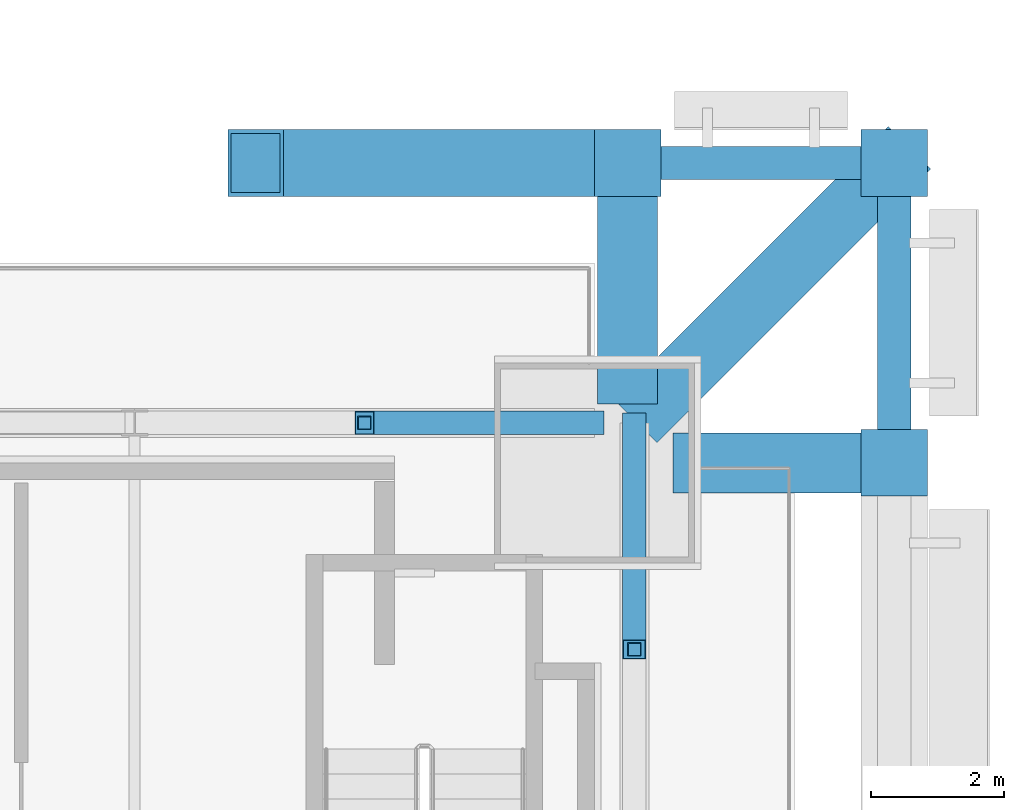
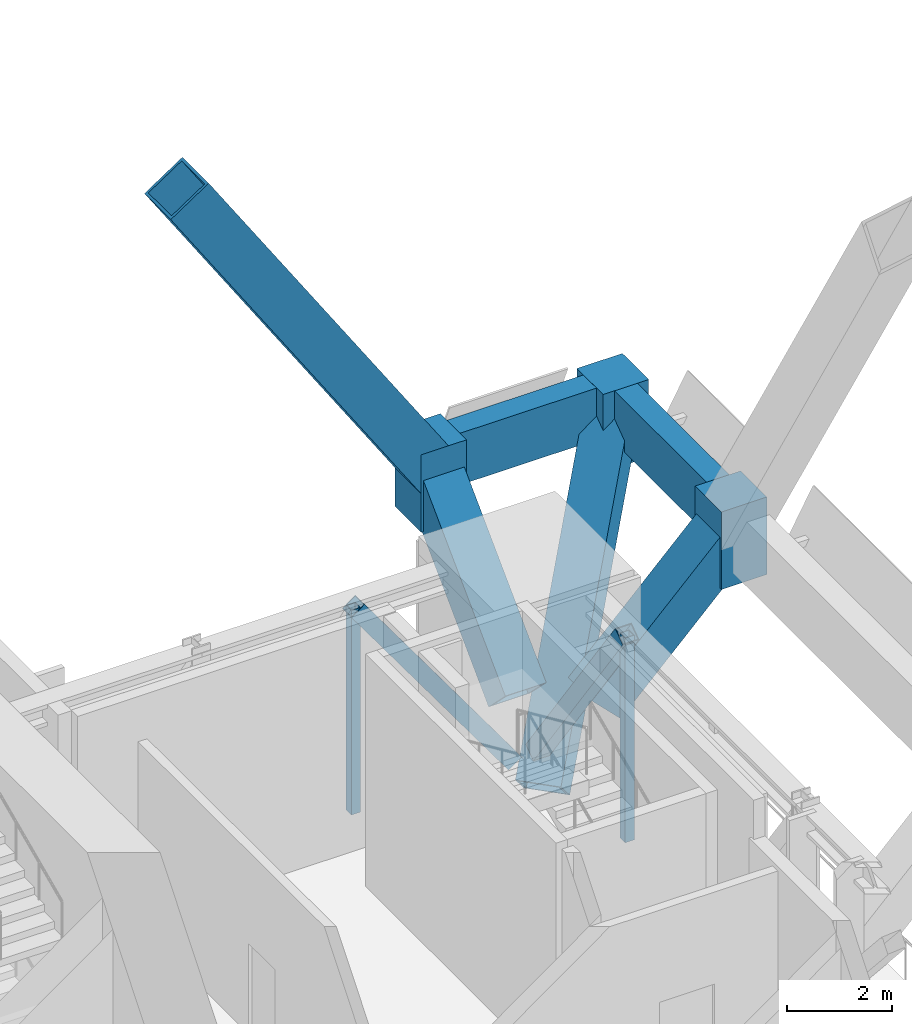
# One storey, part 19 of 32: 11 members, 2 beams.
"""IFC4 building model written with IfcOpenShell, lengths in metres."""

from ifc_helpers import new_model, si_unit, direction, frame, origin, origin_2d, place, context, subcontext, project, spatial, rectangle, hollow_rectangle, extrude, material, material_profile, profile_set, type_object, element, save


model = new_model("IFC4")

# Units and contexts
model_context = context("Model", 3, precision=1e-05, world=origin(), true_north=direction((0.0, 1.0)))
body_context = subcontext(model_context, "Body", "Model", "MODEL_VIEW")
ifc_project = project(units=[si_unit("LENGTHUNIT", "METRE"), si_unit("AREAUNIT", "SQUARE_METRE"), si_unit("VOLUMEUNIT", "CUBIC_METRE"), si_unit("PLANEANGLEUNIT", "RADIAN"), si_unit("MASSUNIT", "GRAM", prefix="KILO")], contexts=[model_context])

# Site, building, storey
site_placement = place(None, origin())
site = spatial("IfcSite", under=ifc_project, at=site_placement, CompositionType="ELEMENT")
building_placement = place(site_placement, origin())
building = spatial("IfcBuilding", under=site, at=building_placement, Name="Bicima Exchange Tower", CompositionType="ELEMENT")
storey_placement = place(building_placement, frame((0.0, 0.0, 135.0)))
storey = spatial("IfcBuildingStorey", under=building, at=storey_placement, Name="L29", CompositionType="ELEMENT", Elevation=135.0)

# Beams
ifc_material_1 = material(Name="Steel ASTM A572 Gr 50", Category="steel")
ifc_material_profile_1 = material_profile(ifc_material_1, hollow_rectangle(XDim=0.5, YDim=1.199951171875, WallThickness=0.0400390625, at=origin_2d()))
ifc_profile_set_1 = profile_set([ifc_material_profile_1], Name="Steel ASTM A572 Gr 50")
beam_type = type_object("IfcBeamType", Name="Belt girder BOX 500x1200x40", PredefinedType="BEAM", material=ifc_profile_set_1)
beam_1_placement = place(storey_placement, frame((37.5, -3.0, 4.64990234375), z_axis=(0.0, 1.0, 0.0), x_axis=(-1.0, 0.0, 0.0)))
element("IfcBeam", 1, at=beam_1_placement, inside=storey, type_object=beam_type, Name="Belt girder", PredefinedType="BEAM", context=body_context, shape_type="SweptSolid", body=[
    extrude(hollow_rectangle(XDim=0.5, YDim=1.199951171875, WallThickness=0.0400390625, at=origin_2d()), origin(), (0.0, 0.0, 1.0), 4.5),
])
beam_2_placement = place(storey_placement, frame((37.5, 1.5, 4.64990234375), z_axis=(-1.0, 0.0, 0.0), x_axis=(0.0, -1.0, 0.0)))
element("IfcBeam", 2, at=beam_2_placement, inside=storey, type_object=beam_type, Name="Belt girder", PredefinedType="BEAM", context=body_context, shape_type="SweptSolid", body=[
    extrude(hollow_rectangle(XDim=0.5, YDim=1.199951171875, WallThickness=0.0400390625, at=origin_2d()), origin(), (0.0, 0.0, 1.0), 4.0),
])

# Members
ifc_material_profile_2 = material_profile(ifc_material_1, hollow_rectangle(XDim=0.355712890625, YDim=0.355712890625, WallThickness=0.0146484375, at=origin_2d()))
ifc_profile_set_2 = profile_set([ifc_material_profile_2], Name="Steel ASTM A572 Gr 50")
member_type_1 = type_object("IfcMemberType", Name="Belt truss diagonal HSS14x14x5/8", PredefinedType="STRUT", material=ifc_profile_set_2)
member_1_placement = place(storey_placement, frame((29.550048828125, -2.39990234375, 5.001220703125), z_axis=(0.587462041023, 0.0, -0.809251722493), x_axis=(0.0, 1.0, 0.0)))
element("IfcMember", 3, at=member_1_placement, inside=storey, type_object=member_type_1, Name="Truss diagonal", PredefinedType="STRUT", context=body_context, shape_type="SweptSolid", body=[
    extrude(hollow_rectangle(XDim=0.355712890625, YDim=0.355712890625, WallThickness=0.0146484375, at=origin_2d()), origin(), (0.0, 0.0, 1.0), 5.87255859375),
])
member_2_placement = place(storey_placement, frame((33.60009765625, -2.39990234375, 0.248779296875), z_axis=(0.0, -0.581866410253, 0.813284378688), x_axis=(1.0, 0.0, 0.0)))
element("IfcMember", 4, at=member_2_placement, inside=storey, type_object=member_type_1, Name="Truss diagonal", PredefinedType="STRUT", context=body_context, shape_type="SweptSolid", body=[
    extrude(hollow_rectangle(XDim=0.355712890625, YDim=0.355712890625, WallThickness=0.0146484375, at=origin_2d()), origin(), (0.0, 0.0, 1.0), 5.843505859375),
])
ifc_material_profile_3 = material_profile(ifc_material_1, hollow_rectangle(XDim=0.203125, YDim=0.203125, WallThickness=0.01171875, at=origin_2d()))
ifc_profile_set_3 = profile_set([ifc_material_profile_3], Name="Steel ASTM A572 Gr 50")
member_type_2 = type_object("IfcMemberType", Name="Belt truss post HSS8x8x1/2", PredefinedType="POST", material=ifc_profile_set_3)
for number, where, z_axis, x_axis, name in (
    (5, (29.550048828125, -2.39990234375, 0.248779296875), (0.0, 0.0, 1.0), (1.0, 0.0, 0.0), "Truss post"),
    (6, (33.60009765625, -5.800048828125, 0.248779296875), (0.0, 0.0, 1.0), (1.0, 0.0, 0.0), "Truss post"),
):
    element("IfcMember", number, at=place(storey_placement, frame(where, z_axis=z_axis, x_axis=x_axis)), inside=storey, type_object=member_type_2, Name=name, PredefinedType="POST", context=body_context, shape_type="SweptSolid", body=[
        extrude(hollow_rectangle(XDim=0.203125, YDim=0.203125, WallThickness=0.01171875, at=origin_2d()), origin(), (0.0, 0.0, 1.0), 4.75244140625),
    ])
ifc_material_profile_4 = material_profile(ifc_material_1, hollow_rectangle(XDim=1.0, YDim=1.0, WallThickness=0.06005859375, at=origin_2d()))
ifc_profile_set_4 = profile_set([ifc_material_profile_4], Name="Steel ASTM A572 Gr 50")
member_type_3 = type_object("IfcMemberType", Name="Exo mega brace BOX 1000x1000x60", PredefinedType="BRACE", material=ifc_profile_set_4)
member_3_placement = place(storey_placement, frame((33.5, 1.5, 4.5), z_axis=(-0.552785436873, 0.0, 0.833323623079), x_axis=(0.0, -1.0, 0.0)))
element("IfcMember", 7, at=member_3_placement, inside=storey, type_object=member_type_3, Name="Exo mega brace rear", PredefinedType="BRACE", context=body_context, shape_type="SweptSolid", body=[
    extrude(hollow_rectangle(XDim=1.0, YDim=1.0, WallThickness=0.06005859375, at=origin_2d()), origin(), (0.0, 0.0, 1.0), 10.10009765625),
])
ifc_material_2 = material(Name="Cast steel ASTM A216 Gr WCB", Category="steel")
ifc_material_profile_5 = material_profile(ifc_material_2, rectangle(XDim=1.0, YDim=1.0, at=origin_2d()))
ifc_profile_set_5 = profile_set([ifc_material_profile_5], Name="Cast steel ASTM A216 Gr WCB")
member_type_4 = type_object("IfcMemberType", Name="Exo node block", PredefinedType="POST", material=ifc_profile_set_5)
for number, where, z_axis, x_axis, name in (
    (8, (37.5, -3.0, 3.449951171875), (0.0, 0.0, 1.0), (1.0, 0.0, 0.0), "Exo node block"),
    (9, (37.5, 1.5, 3.449951171875), (0.0, 0.0, 1.0), (1.0, 0.0, 0.0), "Exo node block"),
    (10, (33.5, 1.5, 3.449951171875), (0.0, 0.0, 1.0), (1.0, 0.0, 0.0), "Exo node block"),
):
    element("IfcMember", number, at=place(storey_placement, frame(where, z_axis=z_axis, x_axis=x_axis)), inside=storey, type_object=member_type_4, Name=name, PredefinedType="POST", context=body_context, shape_type="SweptSolid", body=[
        extrude(rectangle(XDim=1.0, YDim=1.0, at=origin_2d()), origin(), (0.0, 0.0, 1.0), 1.800048828125),
    ])
ifc_material_profile_6 = material_profile(ifc_material_1, hollow_rectangle(XDim=0.89990234375, YDim=0.89990234375, WallThickness=0.050048828125, at=origin_2d()))
ifc_profile_set_6 = profile_set([ifc_material_profile_6], Name="Steel ASTM A572 Gr 50")
member_type_5 = type_object("IfcMemberType", Name="Exo outrigger stub BOX 900x900x50", PredefinedType="STRUT", material=ifc_profile_set_6)
member_4_placement = place(storey_placement, frame((34.5, -3.0, 1.5), z_axis=(0.707106781187, 0.0, 0.707106781187), x_axis=(0.0, 1.0, 0.0)))
element("IfcMember", 11, at=member_4_placement, inside=storey, type_object=member_type_5, Name="Exo outrigger stub", PredefinedType="STRUT", context=body_context, shape_type="SweptSolid", body=[
    extrude(hollow_rectangle(XDim=0.89990234375, YDim=0.89990234375, WallThickness=0.050048828125, at=origin_2d()), origin(), (0.0, 0.0, 1.0), 4.24267578125),
])
member_5_placement = place(storey_placement, frame((33.848388671875, -2.151611328125, -0.864013671875), z_axis=(0.490420188057, 0.490420188057, 0.72039994329), x_axis=(-0.707106781187, 0.707106781187, 0.0)))
element("IfcMember", 12, at=member_5_placement, inside=storey, type_object=member_type_5, Name="Exo outrigger stub", PredefinedType="STRUT", context=body_context, shape_type="SweptSolid", body=[
    extrude(hollow_rectangle(XDim=0.89990234375, YDim=0.89990234375, WallThickness=0.050048828125, at=origin_2d()), origin(), (0.0, 0.0, 1.0), 7.44580078125),
])
member_6_placement = place(storey_placement, frame((33.5, -1.800048828125, 1.199951171875), z_axis=(0.0, 0.707106781187, 0.707106781187), x_axis=(-1.0, 0.0, 0.0)))
element("IfcMember", 13, at=member_6_placement, inside=storey, type_object=member_type_5, Name="Exo outrigger stub", PredefinedType="STRUT", context=body_context, shape_type="SweptSolid", body=[
    extrude(hollow_rectangle(XDim=0.89990234375, YDim=0.89990234375, WallThickness=0.050048828125, at=origin_2d()), origin(), (0.0, 0.0, 1.0), 4.6669921875),
])

save(model, "model.ifc")
